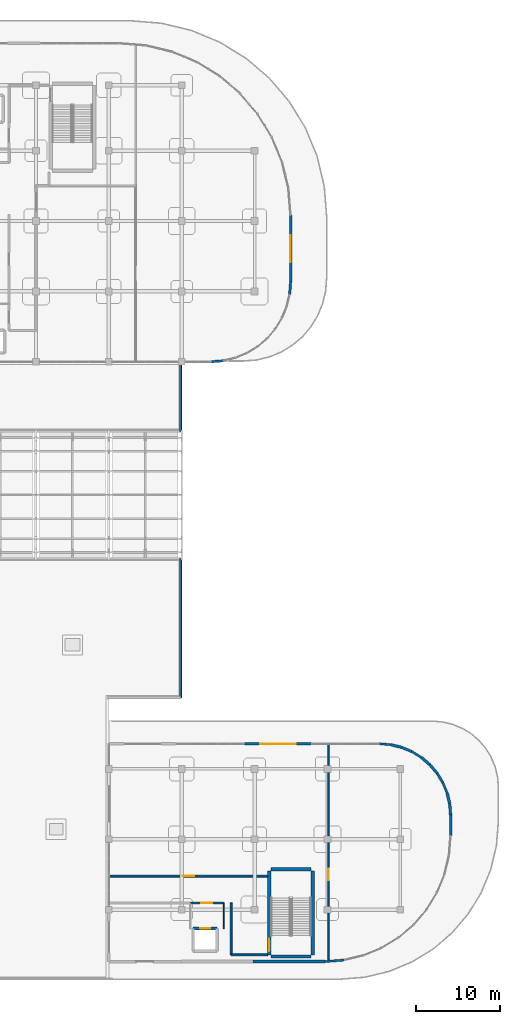
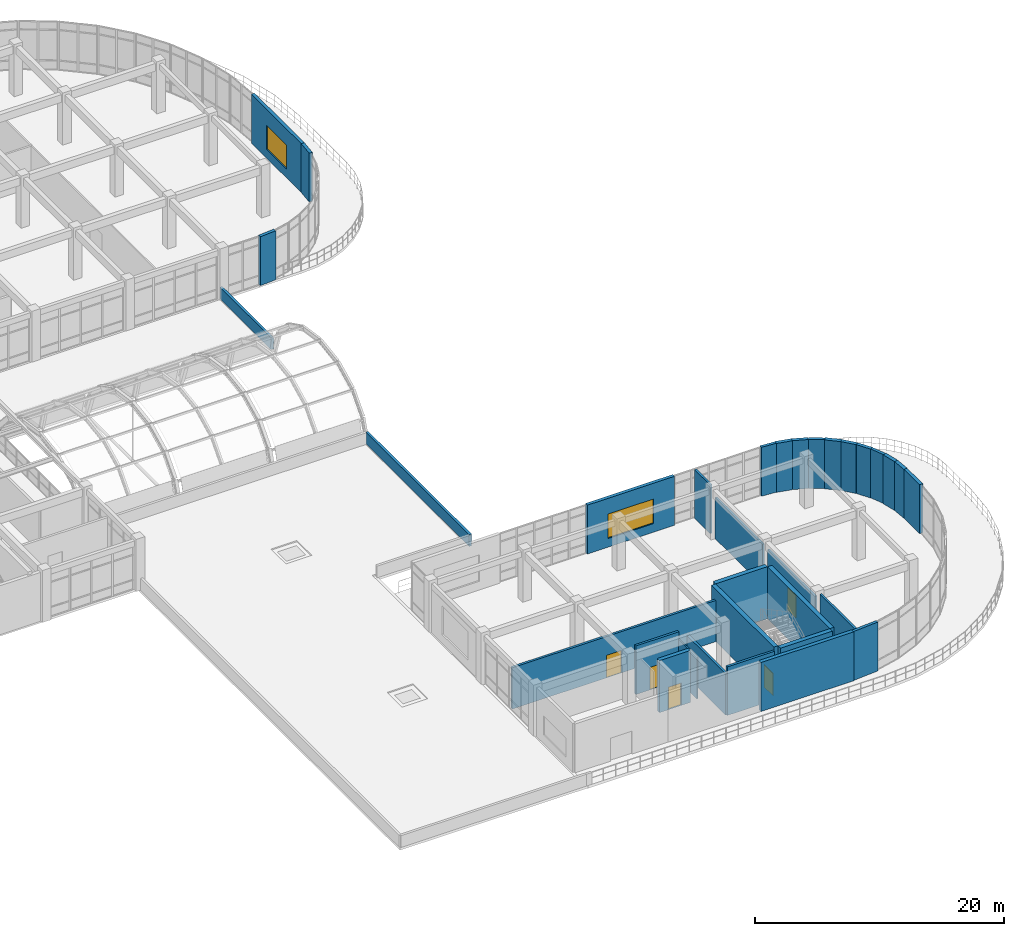
# One storey, part 111 of 124: 33 walls, 5 doors, 2 windows, 7 openings.
"""IFC4 building model written with IfcOpenShell, lengths in metres."""

from ifc_helpers import new_model, si_unit, derived_unit, direction, frame, frame_2d, origin, place, context, subcontext, project, spatial, rectangle, extrude, material, layer, layer_set, type_object, element, fill, save


model = new_model("IFC4")

# Units and contexts
model_context = context("Model", 3, precision=1e-05, world=origin(), true_north=direction((0.0, 1.0)))
body_context = subcontext(model_context, "Body", "Model", "MODEL_VIEW")
ifc_project = project(units=[si_unit("LENGTHUNIT", "METRE"), si_unit("AREAUNIT", "SQUARE_METRE"), si_unit("VOLUMEUNIT", "CUBIC_METRE"), si_unit("PLANEANGLEUNIT", "RADIAN"), si_unit("MASSUNIT", "GRAM", prefix="KILO"), derived_unit("THERMALTRANSMITTANCEUNIT", [(si_unit("MASSUNIT", "GRAM", prefix="KILO"), 1), (si_unit("TIMEUNIT", "SECOND"), -3), (si_unit("THERMODYNAMICTEMPERATUREUNIT", "KELVIN"), -1)])], contexts=[model_context])

# Site, building, storey
site_placement = place(None, origin())
site = spatial("IfcSite", under=ifc_project, at=site_placement, CompositionType="ELEMENT")
building_placement = place(site_placement, origin())
building = spatial("IfcBuilding", under=site, at=building_placement, Name="Qinzheling Arcade Emporium", CompositionType="ELEMENT")
storey_placement = place(building_placement, frame((0.0, 0.0, 16.5)))
storey = spatial("IfcBuildingStorey", under=building, at=storey_placement, Name="L04", CompositionType="ELEMENT", Elevation=16.5)

# Wall, opening, door
ifc_material_1 = material(Name="Double-stud acoustic gypsum board partition")
ifc_layer_1 = layer(ifc_material_1, 0.215087890625, Name="Double-stud acoustic gypsum board partition")
ifc_layer_set_1 = layer_set([ifc_layer_1], Name="Double-stud acoustic gypsum board partition")
wall_type_1 = type_object("IfcWallType", Name="Acoustic Corridor Partition Wall 215", PredefinedType="PARTITIONING", material=ifc_layer_set_1)
wall_1_placement = place(storey_placement, frame((131.5, 9.199951171875, 0.0), z_axis=(0.0, 0.0, 1.0), x_axis=(1.0, 0.0, 0.0)))
wall_1 = element("IfcWall", 1, at=wall_1_placement, inside=storey, type_object=wall_type_1, Name="Interior Wall WL-L04-INT-0601", PredefinedType="PARTITIONING", context=body_context, shape_type="SweptSolid", body=[
    extrude(rectangle(XDim=4.0, YDim=0.215087890625, at=frame_2d((2.0, 0.0))), origin(), (0.0, 0.0, 1.0), 4.760009765625),
])
opening_1_placement = place(wall_1_placement, frame((1.324951171875, 0.0, 0.0)))
opening_1 = element("IfcOpeningElement", 2, at=opening_1_placement, cuts=wall_1, Name="Opening FD05", PredefinedType="OPENING", context=body_context, shape_type="SweptSolid", body=[
    extrude(rectangle(XDim=1.35009765625, YDim=2.199951171875, at=frame_2d((0.675048828125, 1.10009765625))), frame((0.0, 0.11767578125, 0.0), z_axis=(0.0, -1.0, 0.0), x_axis=(1.0, 0.0, 0.0)), (0.0, 0.0, 1.0), 0.235107421875),
])
ifc_material_2 = material(Name="Class B fire-rated stainless-clad door")
door_type_1 = type_object("IfcDoorType", Name="Kitchen Fire-Rated Service Door 1350x2200", OperationType="NOTDEFINED", PredefinedType="DOOR", material=ifc_material_2)
door_1_placement = place(opening_1_placement, origin())
door_1 = element("IfcDoor", 3, at=door_1_placement, inside=storey, type_object=door_type_1, Name="FD05 Interior Door DR-L04-INT-0168", OperationType="SINGLE_SWING_LEFT", OverallHeight=2.199951171875, OverallWidth=1.35009765625, PredefinedType="DOOR", context=body_context, shape_type="SweptSolid", body=[
    extrude(rectangle(XDim=1.35009765625, YDim=2.199951171875, at=frame_2d((0.675048828125, 1.10009765625))), frame((0.0, 0.02490234375, 0.0), z_axis=(0.0, -1.0, 0.0), x_axis=(1.0, 0.0, 0.0)), (0.0, 0.0, 1.0), 0.050048828125),
])
fill(opening_1, door_1)

wall_2_placement = place(storey_placement, frame((121.89990234375, 12.39990234375, 0.0), z_axis=(0.0, 0.0, 1.0), x_axis=(1.0, 0.0, 0.0)))
wall_2 = element("IfcWall", 4, at=wall_2_placement, inside=storey, type_object=wall_type_1, Name="Interior Wall WL-L04-INT-0623", PredefinedType="PARTITIONING", context=body_context, shape_type="SweptSolid", body=[
    extrude(rectangle(XDim=18.85009765625, YDim=0.215087890625, at=frame_2d((9.425048828125, 0.0))), origin(), (0.0, 0.0, 1.0), 4.044921875),
])
opening_2_placement = place(wall_2_placement, frame((8.75, 0.0, 0.0)))
opening_2 = element("IfcOpeningElement", 5, at=opening_2_placement, cuts=wall_2, Name="Opening FD05", PredefinedType="OPENING", context=body_context, shape_type="SweptSolid", body=[
    extrude(rectangle(XDim=1.35009765625, YDim=2.199951171875, at=frame_2d((0.675048828125, 1.10009765625))), frame((0.0, 0.11767578125, 0.0), z_axis=(0.0, -1.0, 0.0), x_axis=(1.0, 0.0, 0.0)), (0.0, 0.0, 1.0), 0.235107421875),
])
door_2_placement = place(opening_2_placement, origin())
door_2 = element("IfcDoor", 6, at=door_2_placement, inside=storey, type_object=door_type_1, Name="FD05 Interior Door DR-L04-INT-0188", OperationType="SINGLE_SWING_LEFT", OverallHeight=2.199951171875, OverallWidth=1.35009765625, PredefinedType="DOOR", context=body_context, shape_type="SweptSolid", body=[
    extrude(rectangle(XDim=1.35009765625, YDim=2.199951171875, at=frame_2d((0.675048828125, 1.10009765625))), frame((0.0, 0.02490234375, 0.0), z_axis=(0.0, -1.0, 0.0), x_axis=(1.0, 0.0, 0.0)), (0.0, 0.0, 1.0), 0.050048828125),
])
fill(opening_2, door_2)

# Walls
wall_3_placement = place(storey_placement, frame((140.75, 3.0, 0.0), z_axis=(0.0, 0.0, 1.0), x_axis=(-1.0, 0.0, 0.0)))
element("IfcWall", 7, at=wall_3_placement, inside=storey, type_object=wall_type_1, Name="Interior Wall WL-L04-INT-0624", PredefinedType="PARTITIONING", context=body_context, shape_type="SweptSolid", body=[
    extrude(rectangle(XDim=4.35009765625, YDim=0.215087890625, at=frame_2d((2.175048828125, 0.0))), origin(), (0.0, 0.0, 1.0), 4.760009765625),
])
wall_4_placement = place(storey_placement, frame((136.39990234375, 3.0, 0.0), z_axis=(0.0, 0.0, 1.0), x_axis=(0.0, 1.0, 0.0)))
element("IfcWall", 8, at=wall_4_placement, inside=storey, type_object=wall_type_1, Name="Interior Wall WL-L04-INT-0625", PredefinedType="PARTITIONING", context=body_context, shape_type="SweptSolid", body=[
    extrude(rectangle(XDim=6.199951171875, YDim=0.215087890625, at=frame_2d((3.10009765625, 0.0))), origin(), (0.0, 0.0, 1.0), 4.044921875),
])
ifc_material_3 = material(Name="Insulated aluminium-clad spandrel wall", Category="aluminium")
ifc_layer_2 = layer(ifc_material_3, 0.260009765625, Name="Insulated aluminium-clad spandrel wall", Category="aluminium")
ifc_layer_set_2 = layer_set([ifc_layer_2], Name="Insulated aluminium-clad spandrel wall")
wall_type_2 = type_object("IfcWallType", Name="Arcade Clerestory Spandrel Wall 260", PredefinedType="STANDARD", material=ifc_layer_set_2)
for number, where, z_axis, x_axis, name in (
    (9, (157.958984375, 27.27392578125, 0.0), (0.0, 0.0, 1.0), (0.852543363643, -0.522656496285, 0.0), "Exterior Wall WL-L04-EW-0204"),
    (10, (161.674072265625, 23.55908203125, 0.0), (0.0, 0.0, 1.0), (0.382443421217, -0.923978911863, 0.0), "Exterior Wall WL-L04-EW-0208"),
):
    element("IfcWall", number, at=place(storey_placement, frame(where, z_axis=z_axis, x_axis=x_axis)), inside=storey, type_object=wall_type_2, Name=name, PredefinedType="STANDARD", context=body_context, shape_type="SweptSolid", body=[
        extrude(rectangle(XDim=1.33349609375, YDim=0.260009765625, at=frame_2d((0.666748046875, 0.0))), origin(), (0.0, 0.0, 1.0), 4.7900390625),
    ])
wall_5_placement = place(storey_placement, frame((149.947021484375, 2.385009765625, 0.0), z_axis=(0.0, 0.0, 1.0), x_axis=(-0.996905638222, -0.078607559947, 0.0)))
element("IfcWall", 11, at=wall_5_placement, inside=storey, type_object=wall_type_2, Name="Exterior Wall WL-L04-EW-0212", PredefinedType="STANDARD", context=body_context, shape_type="SweptSolid", body=[
    extrude(rectangle(XDim=2.354248046875, YDim=0.260009765625, at=frame_2d((1.17724609375, 0.0))), origin(), (0.0, 0.0, 1.0), 4.7900390625),
])
wall_6_placement = place(storey_placement, frame((154.10009765625, 28.199951171875, 0.0), z_axis=(0.0, 0.0, 1.0), x_axis=(0.996898526518, -0.078697698991, 0.0)))
element("IfcWall", 12, at=wall_6_placement, inside=storey, type_object=wall_type_2, Name="Exterior Wall WL-L04-EW-0220", PredefinedType="STANDARD", context=body_context, shape_type="SweptSolid", body=[
    extrude(rectangle(XDim=1.333984375, YDim=0.260009765625, at=frame_2d((0.6669921875, 0.0))), origin(), (0.0, 0.0, 1.0), 4.7900390625),
])
ifc_material_4 = material(Name="Celadon glazed terracotta insulated spandrel", Category="masonry")
ifc_layer_3 = layer(ifc_material_4, 0.340087890625, Name="Celadon glazed terracotta insulated spandrel", Category="masonry")
ifc_layer_set_3 = layer_set([ifc_layer_3], Name="Celadon glazed terracotta insulated spandrel")
wall_type_3 = type_object("IfcWallType", Name="Celadon Spandrel Infill Wall 340", PredefinedType="STANDARD", material=ifc_layer_set_3)
wall_7_placement = place(storey_placement, frame((159.095947265625, 26.576904296875, 0.0), z_axis=(0.0, 0.0, 1.0), x_axis=(0.760121344352, -0.649781149204, 0.0)))
element("IfcWall", 13, at=wall_7_placement, inside=storey, type_object=wall_type_3, Name="Exterior Wall WL-L04-EW-0205", PredefinedType="STANDARD", context=body_context, shape_type="SweptSolid", body=[
    extrude(rectangle(XDim=1.334228515625, YDim=0.340087890625, at=frame_2d((0.6669921875, 0.0))), origin(), (0.0, 0.0, 1.0), 4.7900390625),
])
wall_8_placement = place(storey_placement, frame((162.18408203125, 22.326904296875, 0.0), z_axis=(0.0, 0.0, 1.0), x_axis=(0.233220628969, -0.972423847005, 0.0)))
element("IfcWall", 14, at=wall_8_placement, inside=storey, type_object=wall_type_3, Name="Exterior Wall WL-L04-EW-0209", PredefinedType="STANDARD", context=body_context, shape_type="SweptSolid", body=[
    extrude(rectangle(XDim=1.333740234375, YDim=0.340087890625, at=frame_2d((0.6669921875, 0.0))), origin(), (0.0, 0.0, 1.0), 4.7900390625),
])
wall_9_placement = place(storey_placement, frame((147.60009765625, 2.199951171875, 0.0), z_axis=(0.0, 0.0, 1.0), x_axis=(-1.0, 0.0, 0.0)))
element("IfcWall", 15, at=wall_9_placement, inside=storey, type_object=wall_type_3, Name="Exterior Wall WL-L04-EW-0213", PredefinedType="STANDARD", context=body_context, shape_type="SweptSolid", body=[
    extrude(rectangle(XDim=8.59814453125, YDim=0.340087890625, at=frame_2d((4.299072265625, 0.0))), origin(), (0.0, 0.0, 1.0), 4.7900390625),
])
ifc_material_5 = material(Name="Glazed cream terracotta insulated wall", Category="masonry")
ifc_layer_4 = layer(ifc_material_5, 0.320068359375, Name="Glazed cream terracotta insulated wall", Category="masonry")
ifc_layer_set_4 = layer_set([ifc_layer_4], Name="Glazed cream terracotta insulated wall")
wall_type_4 = type_object("IfcWallType", Name="Chicago Frame Infill Wall 320", PredefinedType="STANDARD", material=ifc_layer_set_4)
for number, where, z_axis, x_axis, name in (
    (16, (155.429931640625, 28.094970703125, 0.0), (0.0, 0.0, 1.0), (0.972433801414, -0.233179119707, 0.0), "Exterior Wall WL-L04-EW-0202"),
    (17, (160.110107421875, 25.7099609375, 0.0), (0.0, 0.0, 1.0), (0.649871535961, -0.760044068951, 0.0), "Exterior Wall WL-L04-EW-0206"),
):
    element("IfcWall", number, at=place(storey_placement, frame(where, z_axis=z_axis, x_axis=x_axis)), inside=storey, type_object=wall_type_4, Name=name, PredefinedType="STANDARD", context=body_context, shape_type="SweptSolid", body=[
        extrude(rectangle(XDim=1.333984375, YDim=0.320068359375, at=frame_2d((0.6669921875, 0.0))), origin(), (0.0, 0.0, 1.0), 4.7900390625),
    ])
wall_10_placement = place(storey_placement, frame((162.4951171875, 21.030029296875, 0.0), z_axis=(0.0, 0.0, 1.0), x_axis=(0.078683343185, -0.996899659698, 0.0)))
element("IfcWall", 18, at=wall_10_placement, inside=storey, type_object=wall_type_4, Name="Exterior Wall WL-L04-EW-0210", PredefinedType="STANDARD", context=body_context, shape_type="SweptSolid", body=[
    extrude(rectangle(XDim=1.334228515625, YDim=0.320068359375, at=frame_2d((0.6669921875, 0.0))), origin(), (0.0, 0.0, 1.0), 4.7900390625),
])
ifc_material_6 = material(Name="Ceramic-tiled cement-board partition")
ifc_layer_5 = layer(ifc_material_6, 0.18505859375, Name="Ceramic-tiled cement-board partition")
ifc_layer_set_5 = layer_set([ifc_layer_5], Name="Ceramic-tiled cement-board partition")
wall_type_5 = type_object("IfcWallType", Name="Food Hall Kitchen Partition Wall 185", PredefinedType="PARTITIONING", material=ifc_layer_set_5)
wall_11_placement = place(storey_placement, frame((148.0, 28.10009765625, 0.0), z_axis=(0.0, 0.0, 1.0), x_axis=(0.0, -1.0, 0.0)))
element("IfcWall", 19, at=wall_11_placement, inside=storey, type_object=wall_type_5, Name="Interior Wall WL-L04-INT-0683", PredefinedType="PARTITIONING", context=body_context, shape_type="SweptSolid", body=[
    extrude(rectangle(XDim=2.489990234375, YDim=0.18505859375, at=frame_2d((1.2451171875, 0.0))), origin(), (0.0, 0.0, 1.0), 4.760009765625),
])
wall_12_placement = place(storey_placement, frame((148.0, 24.7900390625, 0.0), z_axis=(0.0, 0.0, 1.0), x_axis=(0.0, -1.0, 0.0)))
element("IfcWall", 20, at=wall_12_placement, inside=storey, type_object=wall_type_5, Name="Interior Wall WL-L04-INT-0684", PredefinedType="PARTITIONING", context=body_context, shape_type="SweptSolid", body=[
    extrude(rectangle(XDim=7.580078125, YDim=0.18505859375, at=frame_2d((3.7900390625, 0.0))), origin(), (0.0, 0.0, 1.0), 4.044921875),
])

# Wall, opening, door
wall_13_placement = place(storey_placement, frame((148.0, 16.389892578125, 0.0), z_axis=(0.0, 0.0, 1.0), x_axis=(0.0, -1.0, 0.0)))
wall_13 = element("IfcWall", 21, at=wall_13_placement, inside=storey, type_object=wall_type_5, Name="Interior Wall WL-L04-INT-0685", PredefinedType="PARTITIONING", context=body_context, shape_type="SweptSolid", body=[
    extrude(rectangle(XDim=7.579833984375, YDim=0.18505859375, at=frame_2d((3.7900390625, 0.0))), origin(), (0.0, 0.0, 1.0), 4.044921875),
])
opening_3_placement = place(wall_13_placement, frame((3.114990234375, 0.0, 0.0)))
opening_3 = element("IfcOpeningElement", 22, at=opening_3_placement, cuts=wall_13, Name="Opening FD05", PredefinedType="OPENING", context=body_context, shape_type="SweptSolid", body=[
    extrude(rectangle(XDim=1.35009765625, YDim=2.199951171875, at=frame_2d((0.675048828125, 1.10009765625))), frame((0.0, 0.1025390625, 0.0), z_axis=(0.0, -1.0, 0.0), x_axis=(1.0, 0.0, 0.0)), (0.0, 0.0, 1.0), 0.205078125),
])
door_3_placement = place(opening_3_placement, origin())
door_3 = element("IfcDoor", 23, at=door_3_placement, inside=storey, type_object=door_type_1, Name="FD05 Interior Door DR-L04-INT-0189", OperationType="SINGLE_SWING_RIGHT", OverallHeight=2.199951171875, OverallWidth=1.35009765625, PredefinedType="DOOR", context=body_context, shape_type="SweptSolid", body=[
    extrude(rectangle(XDim=1.35009765625, YDim=2.199951171875, at=frame_2d((0.675048828125, 1.10009765625))), frame((0.0, 0.02490234375, 0.0), z_axis=(0.0, -1.0, 0.0), x_axis=(1.0, 0.0, 0.0)), (0.0, 0.0, 1.0), 0.050048828125),
])
fill(opening_3, door_3)

# Walls
wall_14_placement = place(storey_placement, frame((148.0, 7.989990234375, 0.0), z_axis=(0.0, 0.0, 1.0), x_axis=(0.0, -1.0, 0.0)))
element("IfcWall", 24, at=wall_14_placement, inside=storey, type_object=wall_type_5, Name="Interior Wall WL-L04-INT-0686", PredefinedType="PARTITIONING", context=body_context, shape_type="SweptSolid", body=[
    extrude(rectangle(XDim=5.623046875, YDim=0.18505859375, at=frame_2d((2.8115234375, 0.0))), origin(), (0.0, 0.0, 1.0), 4.760009765625),
])
ifc_material_7 = material(Name="Lightweight gypsum studio partition")
ifc_layer_6 = layer(ifc_material_7, 0.125, Name="Lightweight gypsum studio partition")
ifc_layer_set_6 = layer_set([ifc_layer_6], Name="Lightweight gypsum studio partition")
wall_type_6 = type_object("IfcWallType", Name="Merchandising Studio Partition Wall 125", PredefinedType="PARTITIONING", material=ifc_layer_set_6)
wall_15_placement = place(storey_placement, frame((135.5, 9.199951171875, 0.0), z_axis=(0.0, 0.0, 1.0), x_axis=(0.0, -1.0, 0.0)))
element("IfcWall", 25, at=wall_15_placement, inside=storey, type_object=wall_type_6, Name="Interior Wall WL-L04-INT-0603", PredefinedType="PARTITIONING", context=body_context, shape_type="SweptSolid", body=[
    extrude(rectangle(XDim=3.070068359375, YDim=0.125, at=frame_2d((1.53515625, 0.0))), origin(), (0.0, 0.0, 1.0), 4.044921875),
])

# Wall, opening, window
ifc_material_8 = material(Name="Buff glazed terracotta insulated wall", Category="masonry")
ifc_layer_7 = layer(ifc_material_8, 0.2900390625, Name="Buff glazed terracotta insulated wall", Category="masonry")
ifc_layer_set_7 = layer_set([ifc_layer_7], Name="Buff glazed terracotta insulated wall")
wall_type_7 = type_object("IfcWallType", Name="Office Bar Terracotta Wall 290", PredefinedType="STANDARD", material=ifc_layer_set_7)
wall_16_placement = place(storey_placement, frame((143.5, 91.300048828125, 0.0), z_axis=(0.0, 0.0, 1.0), x_axis=(0.0, -1.0, 0.0)))
wall_16 = element("IfcWall", 26, at=wall_16_placement, inside=storey, type_object=wall_type_7, Name="Exterior Wall WL-L04-EW-0243", PredefinedType="STANDARD", context=body_context, shape_type="SweptSolid", body=[
    extrude(rectangle(XDim=8.0, YDim=0.2900390625, at=frame_2d((4.0, 0.0))), origin(), (0.0, 0.0, 1.0), 4.7900390625),
])
opening_4_placement = place(wall_16_placement, frame((2.39990234375, 0.0, 0.85009765625)))
opening_4 = element("IfcOpeningElement", 27, at=opening_4_placement, cuts=wall_16, Name="Opening WN35", PredefinedType="OPENING", context=body_context, shape_type="SweptSolid", body=[
    extrude(rectangle(XDim=3.199951171875, YDim=2.35009765625, at=frame_2d((1.60009765625, 1.175048828125))), frame((0.0, 0.155029296875, 0.0), z_axis=(0.0, -1.0, 0.0), x_axis=(1.0, 0.0, 0.0)), (0.0, 0.0, 1.0), 0.31005859375),
])
ifc_material_9 = material(Name="Thermally broken aluminium frame with solar-control double glazing", Category="aluminium")
window_type_1 = type_object("IfcWindowType", Name="Chicago Tripartite Window 3200x2350", PartitioningType="TRIPLE_PANEL_VERTICAL", PredefinedType="WINDOW", material=ifc_material_9)
window_1_placement = place(opening_4_placement, origin())
window_1 = element("IfcWindow", 28, at=window_1_placement, inside=storey, type_object=window_type_1, Name="WN35 Window WN-L04-0065", OverallHeight=2.35009765625, OverallWidth=3.199951171875, PartitioningType="TRIPLE_PANEL_VERTICAL", PredefinedType="WINDOW", context=body_context, shape_type="SweptSolid", body=[
    extrude(rectangle(XDim=3.199951171875, YDim=2.35009765625, at=frame_2d((1.60009765625, 1.175048828125))), frame((0.0, 0.030029296875, 0.0), z_axis=(0.0, -1.0, 0.0), x_axis=(1.0, 0.0, 0.0)), (0.0, 0.0, 1.0), 0.06005859375),
])
fill(opening_4, window_1)

# Walls
for number, where, z_axis, x_axis, name in (
    (29, (143.5, 83.300048828125, 0.0), (0.0, 0.0, 1.0), (-0.07844977072, -0.996918067583, 0.0), "Exterior Wall WL-L04-EW-0244"),
    (30, (135.486083984375, 73.9169921875, 0.0), (0.0, 0.0, 1.0), (-0.996918067583, -0.07844977072, 0.0), "Exterior Wall WL-L04-EW-0245"),
):
    element("IfcWall", number, at=place(storey_placement, frame(where, z_axis=z_axis, x_axis=x_axis)), inside=storey, type_object=wall_type_7, Name=name, PredefinedType="STANDARD", context=body_context, shape_type="SweptSolid", body=[
        extrude(rectangle(XDim=1.49072265625, YDim=0.2900390625, at=frame_2d((0.745361328125, 0.0))), origin(), (0.0, 0.0, 1.0), 4.7900390625),
    ])

# Wall, opening, door
ifc_material_10 = material(Name="Concrete C40", Category="concrete")
ifc_layer_8 = layer(ifc_material_10, 0.35009765625, Name="Concrete C40", Category="concrete")
ifc_layer_set_8 = layer_set([ifc_layer_8], Name="Concrete C40")
wall_type_8 = type_object("IfcWallType", Name="RC Lift Shaft Shear Wall 350 C40", PredefinedType="SHEAR", material=ifc_layer_set_8)
wall_17_placement = place(storey_placement, frame((131.875, 6.125, 0.0), z_axis=(0.0, 0.0, 1.0), x_axis=(1.0, 0.0, 0.0)))
wall_17 = element("IfcWall", 31, at=wall_17_placement, inside=storey, type_object=wall_type_8, Name="Lift Shaft Wall WL-L04-LFT-LP05-N", PredefinedType="SHEAR", context=body_context, shape_type="SweptSolid", body=[
    extrude(rectangle(XDim=2.85009765625, YDim=0.35009765625, at=frame_2d((1.425048828125, 0.0))), origin(), (0.0, 0.0, 1.0), 5.10009765625),
])
opening_5_placement = place(wall_17_placement, frame((0.824951171875, 0.0, 0.0)))
opening_5 = element("IfcOpeningElement", 32, at=opening_5_placement, cuts=wall_17, Name="Opening LD02", PredefinedType="OPENING", context=body_context, shape_type="SweptSolid", body=[
    extrude(rectangle(XDim=1.199951171875, YDim=2.199951171875, at=frame_2d((0.60009765625, 1.10009765625))), frame((0.0, 0.18505859375, 0.0), z_axis=(0.0, -1.0, 0.0), x_axis=(1.0, 0.0, 0.0)), (0.0, 0.0, 1.0), 0.3701171875),
])
ifc_material_11 = material(Name="Brushed bronze stainless sliding lift door")
door_type_2 = type_object("IfcDoorType", Name="Passenger Lift Sliding Landing Door 1200x2200", OperationType="DOUBLE_DOOR_SLIDING", PredefinedType="DOOR", material=ifc_material_11)
door_4_placement = place(opening_5_placement, origin())
door_4 = element("IfcDoor", 33, at=door_4_placement, inside=storey, type_object=door_type_2, Name="LD02 Lift Landing Door LP05 L04", OperationType="DOUBLE_DOOR_SLIDING", OverallHeight=2.199951171875, OverallWidth=1.199951171875, PredefinedType="DOOR", context=body_context, shape_type="SweptSolid", body=[
    extrude(rectangle(XDim=1.199951171875, YDim=2.199951171875, at=frame_2d((0.60009765625, 1.10009765625))), frame((0.0, 0.02490234375, 0.0), z_axis=(0.0, -1.0, 0.0), x_axis=(1.0, 0.0, 0.0)), (0.0, 0.0, 1.0), 0.050048828125),
])
fill(opening_5, door_4)

ifc_material_12 = material(Name="Concrete C50", Category="concrete")
ifc_layer_9 = layer(ifc_material_12, 0.39990234375, Name="Concrete C50", Category="concrete")
ifc_layer_set_9 = layer_set([ifc_layer_9], Name="Concrete C50")
wall_type_9 = type_object("IfcWallType", Name="RC Stair Core Shear Wall 400 C50", PredefinedType="SHEAR", material=ifc_layer_set_9)
wall_18_placement = place(storey_placement, frame((140.955078125, 3.0, 0.0), z_axis=(0.0, 0.0, 1.0), x_axis=(0.0, 1.0, 0.0)))
wall_18 = element("IfcWall", 34, at=wall_18_placement, inside=storey, type_object=wall_type_9, Name="Stair Core Wall WL-L04-ST06-WEST", PredefinedType="SHEAR", context=body_context, shape_type="SweptSolid", body=[
    extrude(rectangle(XDim=10.0, YDim=0.39990234375, at=frame_2d((5.0, 0.0))), origin(), (0.0, 0.0, 1.0), 5.10009765625),
])
opening_6_placement = place(wall_18_placement, frame((0.409912109375, 0.0, 0.0)))
opening_6 = element("IfcOpeningElement", 35, at=opening_6_placement, cuts=wall_18, Name="Opening FD01", PredefinedType="OPENING", context=body_context, shape_type="SweptSolid", body=[
    extrude(rectangle(XDim=1.5, YDim=2.199951171875, at=frame_2d((0.75, 1.10009765625))), frame((0.0, 0.2099609375, 0.0), z_axis=(0.0, -1.0, 0.0), x_axis=(1.0, 0.0, 0.0)), (0.0, 0.0, 1.0), 0.419921875),
])
ifc_material_13 = material(Name="Class A fire-rated steel double door", Category="steel")
door_type_3 = type_object("IfcDoorType", Name="Stairwell Smoke-Proof Fire Door 1500x2200", OperationType="DOUBLE_DOOR_SINGLE_SWING", PredefinedType="DOOR", material=ifc_material_13)
door_5_placement = place(opening_6_placement, origin())
door_5 = element("IfcDoor", 36, at=door_5_placement, inside=storey, type_object=door_type_3, Name="FD01 Stairwell Fire Door DR-L04-ST06-FD", OperationType="DOUBLE_DOOR_SINGLE_SWING", OverallHeight=2.199951171875, OverallWidth=1.5, PredefinedType="DOOR", context=body_context, shape_type="SweptSolid", body=[
    extrude(rectangle(XDim=1.5, YDim=2.199951171875, at=frame_2d((0.75, 1.10009765625))), frame((0.0, 0.02490234375, 0.0), z_axis=(0.0, -1.0, 0.0), x_axis=(1.0, 0.0, 0.0)), (0.0, 0.0, 1.0), 0.050048828125),
])
fill(opening_6, door_5)

# Walls
wall_19_placement = place(storey_placement, frame((146.14501953125, 13.0, 0.0), z_axis=(0.0, 0.0, 1.0), x_axis=(0.0, -1.0, 0.0)))
element("IfcWall", 37, at=wall_19_placement, inside=storey, type_object=wall_type_9, Name="Stair Core Wall WL-L04-ST06-EAST", PredefinedType="SHEAR", context=body_context, shape_type="SweptSolid", body=[
    extrude(rectangle(XDim=10.0, YDim=0.39990234375, at=frame_2d((5.0, 0.0))), origin(), (0.0, 0.0, 1.0), 5.10009765625),
])
for number, where, z_axis, x_axis, name in (
    (38, (145.945068359375, 2.800048828125, 0.0), (0.0, 0.0, 1.0), (-1.0, 0.0, 0.0), "Stair Core Wall WL-L04-ST06-SOUTH"),
    (39, (141.155029296875, 13.199951171875, 0.0), (0.0, 0.0, 1.0), (1.0, 0.0, 0.0), "Stair Core Wall WL-L04-ST06-NORTH"),
):
    element("IfcWall", number, at=place(storey_placement, frame(where, z_axis=z_axis, x_axis=x_axis)), inside=storey, type_object=wall_type_9, Name=name, PredefinedType="SHEAR", context=body_context, shape_type="SweptSolid", body=[
        extrude(rectangle(XDim=4.7900390625, YDim=0.39990234375, at=frame_2d((2.39501953125, 0.0))), origin(), (0.0, 0.0, 1.0), 5.10009765625),
    ])
ifc_layer_10 = layer(ifc_material_5, 0.300048828125, Name="Glazed cream terracotta insulated wall", Category="masonry")
ifc_layer_set_10 = layer_set([ifc_layer_10], Name="Glazed cream terracotta insulated wall")
wall_type_10 = type_object("IfcWallType", Name="Terrace Facade Infill Wall 300", PredefinedType="STANDARD", material=ifc_layer_set_10)
wall_20_placement = place(storey_placement, frame((156.72705078125, 27.783935546875, 0.0), z_axis=(0.0, 0.0, 1.0), x_axis=(0.923952127992, -0.382508124331, 0.0)))
element("IfcWall", 40, at=wall_20_placement, inside=storey, type_object=wall_type_10, Name="Exterior Wall WL-L04-EW-0203", PredefinedType="STANDARD", context=body_context, shape_type="SweptSolid", body=[
    extrude(rectangle(XDim=1.333251953125, YDim=0.300048828125, at=frame_2d((0.66650390625, 0.0))), origin(), (0.0, 0.0, 1.0), 4.7900390625),
])
wall_21_placement = place(storey_placement, frame((160.97705078125, 24.696044921875, 0.0), z_axis=(0.0, 0.0, 1.0), x_axis=(0.522656496285, -0.852543363643, 0.0)))
element("IfcWall", 41, at=wall_21_placement, inside=storey, type_object=wall_type_10, Name="Exterior Wall WL-L04-EW-0207", PredefinedType="STANDARD", context=body_context, shape_type="SweptSolid", body=[
    extrude(rectangle(XDim=1.33349609375, YDim=0.300048828125, at=frame_2d((0.666748046875, 0.0))), origin(), (0.0, 0.0, 1.0), 4.7900390625),
])
wall_22_placement = place(storey_placement, frame((162.60009765625, 19.699951171875, 0.0), z_axis=(0.0, 0.0, 1.0), x_axis=(0.0, -1.0, 0.0)))
element("IfcWall", 42, at=wall_22_placement, inside=storey, type_object=wall_type_10, Name="Exterior Wall WL-L04-EW-0211", PredefinedType="STANDARD", context=body_context, shape_type="SweptSolid", body=[
    extrude(rectangle(XDim=2.5, YDim=0.300048828125, at=frame_2d((1.25, 0.0))), origin(), (0.0, 0.0, 1.0), 4.7900390625),
])

# Wall, opening, window
wall_23_placement = place(storey_placement, frame((137.951904296875, 28.199951171875, 0.0), z_axis=(0.0, 0.0, 1.0), x_axis=(1.0, 0.0, 0.0)))
wall_23 = element("IfcWall", 43, at=wall_23_placement, inside=storey, type_object=wall_type_10, Name="Exterior Wall WL-L04-EW-0219", PredefinedType="STANDARD", context=body_context, shape_type="SweptSolid", body=[
    extrude(rectangle(XDim=8.071044921875, YDim=0.300048828125, at=frame_2d((4.03564453125, 0.0))), origin(), (0.0, 0.0, 1.0), 4.7900390625),
])
opening_7_placement = place(wall_23_placement, frame((1.93505859375, 0.0, 0.85009765625)))
opening_7 = element("IfcOpeningElement", 44, at=opening_7_placement, cuts=wall_23, Name="Opening WN11", PredefinedType="OPENING", context=body_context, shape_type="SweptSolid", body=[
    extrude(rectangle(XDim=4.199951171875, YDim=2.39990234375, at=frame_2d((2.10009765625, 1.199951171875))), frame((0.0, 0.16015625, 0.0), z_axis=(0.0, -1.0, 0.0), x_axis=(1.0, 0.0, 0.0)), (0.0, 0.0, 1.0), 0.320068359375),
])
window_type_2 = type_object("IfcWindowType", Name="Chicago Tripartite Window 4200x2400", PartitioningType="TRIPLE_PANEL_VERTICAL", PredefinedType="WINDOW", material=ifc_material_9)
window_2_placement = place(opening_7_placement, origin())
window_2 = element("IfcWindow", 45, at=window_2_placement, inside=storey, type_object=window_type_2, Name="WN11 Window WN-L04-0060", OverallHeight=2.39990234375, OverallWidth=4.199951171875, PartitioningType="TRIPLE_PANEL_VERTICAL", PredefinedType="WINDOW", context=body_context, shape_type="SweptSolid", body=[
    extrude(rectangle(XDim=4.199951171875, YDim=2.39990234375, at=frame_2d((2.10009765625, 1.199951171875))), frame((0.0, 0.030029296875, 0.0), z_axis=(0.0, -1.0, 0.0), x_axis=(1.0, 0.0, 0.0)), (0.0, 0.0, 1.0), 0.06005859375),
])
fill(opening_7, window_2)

# Walls
ifc_material_14 = material(Name="Precast concrete C40 with terracotta coping", Category="masonry")
ifc_layer_11 = layer(ifc_material_14, 0.219970703125, Name="Precast concrete C40 with terracotta coping", Category="masonry")
ifc_layer_set_11 = layer_set([ifc_layer_11], Name="Precast concrete C40 with terracotta coping")
wall_type_11 = type_object("IfcWallType", Name="Terracotta Coping Roof Parapet 220", PredefinedType="PARAPET", material=ifc_layer_set_11)
wall_24_placement = place(storey_placement, frame((130.389892578125, 50.2900390625, 0.0), z_axis=(0.0, 0.0, 1.0), x_axis=(0.0, -1.0, 0.0)))
element("IfcWall", 46, at=wall_24_placement, inside=storey, type_object=wall_type_11, Name="Roof Parapet WL-L04-PW-030", PredefinedType="PARAPET", context=body_context, shape_type="SweptSolid", body=[
    extrude(rectangle(XDim=16.580078125, YDim=0.219970703125, at=frame_2d((8.2900390625, 0.0))), origin(), (0.0, 0.0, 1.0), 1.14990234375),
])
wall_25_placement = place(storey_placement, frame((130.389892578125, 73.68994140625, 0.0), z_axis=(0.0, 0.0, 1.0), x_axis=(0.0, -1.0, 0.0)))
element("IfcWall", 47, at=wall_25_placement, inside=storey, type_object=wall_type_11, Name="Roof Parapet WL-L04-PW-034", PredefinedType="PARAPET", context=body_context, shape_type="SweptSolid", body=[
    extrude(rectangle(XDim=8.179931640625, YDim=0.219970703125, at=frame_2d((4.08984375, 0.0))), origin(), (0.0, 0.0, 1.0), 1.14990234375),
])

save(model, "model.ifc")
